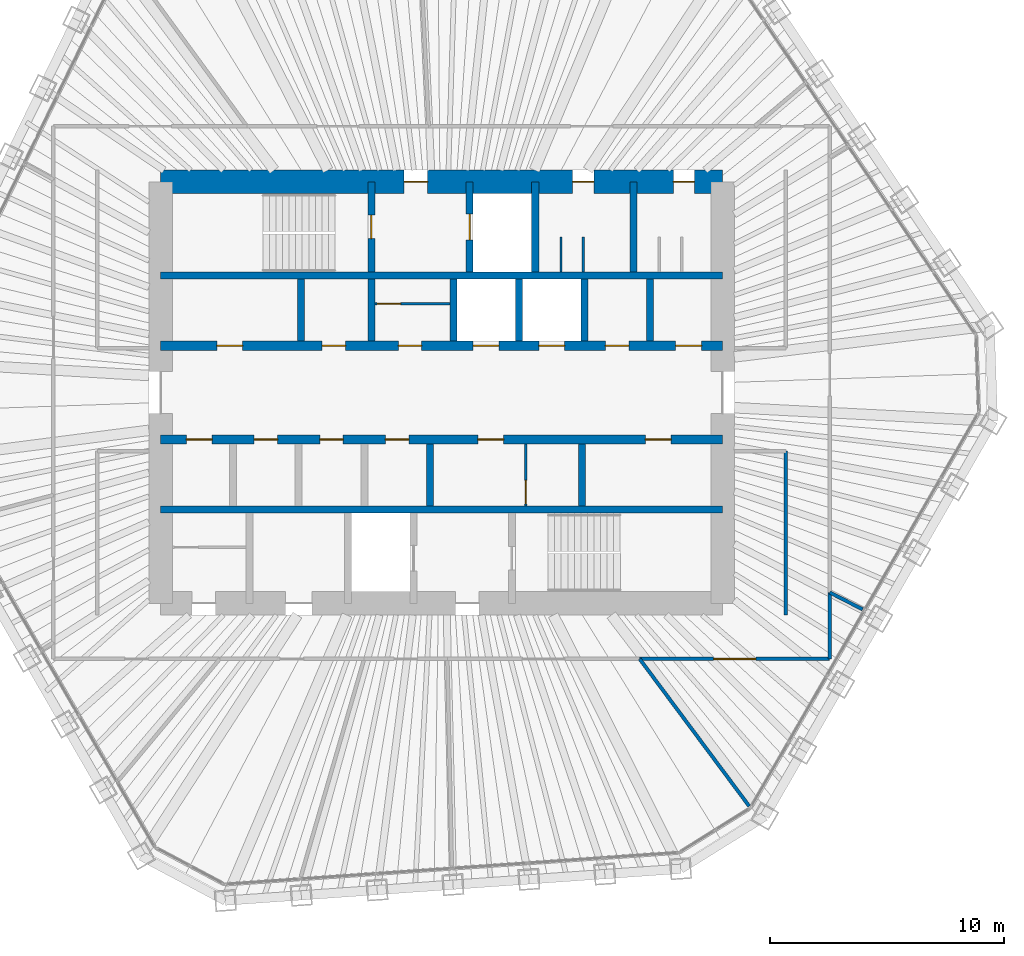
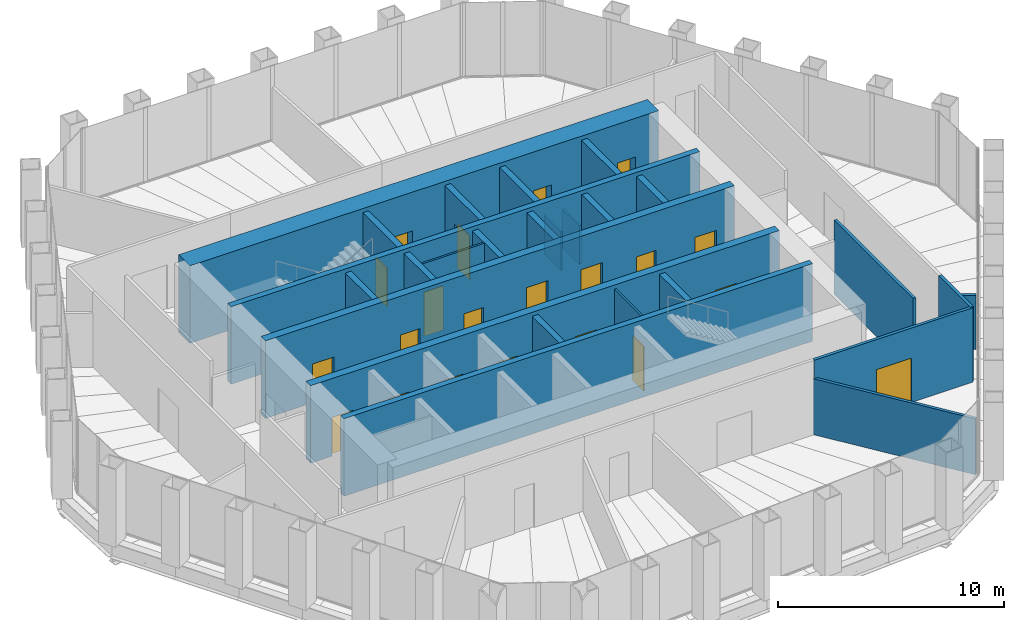
# One storey, part 12 of 14: 26 walls, 21 doors, 21 openings.
"""IFC4 building model written with IfcOpenShell, lengths in metres."""

from ifc_helpers import new_model, si_unit, direction, frame, frame_2d, origin, place, context, subcontext, project, spatial, rectangle, extrude, material, layer, layer_set, type_object, element, fill, save


model = new_model("IFC4")

# Units and contexts
model_context = context("Model", 3, precision=1e-05, world=origin(), true_north=direction((0.0, 1.0)))
body_context = subcontext(model_context, "Body", "Model", "MODEL_VIEW")
ifc_project = project(units=[si_unit("LENGTHUNIT", "METRE"), si_unit("AREAUNIT", "SQUARE_METRE"), si_unit("VOLUMEUNIT", "CUBIC_METRE"), si_unit("PLANEANGLEUNIT", "RADIAN"), si_unit("MASSUNIT", "GRAM", prefix="KILO")], contexts=[model_context])

# Site, building, storey
site_placement = place(None, origin())
site = spatial("IfcSite", under=ifc_project, at=site_placement, CompositionType="ELEMENT")
building_placement = place(site_placement, origin())
building = spatial("IfcBuilding", under=site, at=building_placement, Name="Qingtian Harvest Tower", CompositionType="ELEMENT")
storey_placement = place(building_placement, frame((0.0, 0.0, 295.60009765625)))
storey = spatial("IfcBuildingStorey", under=building, at=storey_placement, Name="L65", CompositionType="ELEMENT", Elevation=295.60009765625)

# Walls
ifc_material_1 = material(Name="Concrete fc' 70 MPa", Category="concrete")
ifc_layer_1 = layer(ifc_material_1, 0.300048828125)
ifc_layer_set_1 = layer_set([ifc_layer_1], Name="Core inner wall RC5 300")
wall_type_1 = type_object("IfcWallType", Name="Core inner wall RC5 300", PredefinedType="SHEAR", material=ifc_layer_set_1)
for number, where, z_axis, x_axis, name in (
    (1, (-12.0, 5.0, 0.0), (0.0, 0.0, 1.0), (1.0, 0.0, 0.0), "Core wall IN5 L65"),
    (2, (-12.0, -5.0, 0.0), (0.0, 0.0, 1.0), (1.0, 0.0, 0.0), "Core wall IS5 L65"),
):
    element("IfcWall", number, at=place(storey_placement, frame(where, z_axis=z_axis, x_axis=x_axis)), inside=storey, type_object=wall_type_1, Name=name, PredefinedType="SHEAR", context=body_context, shape_type="SweptSolid", body=[
        extrude(rectangle(XDim=24.0, YDim=0.300048828125, at=frame_2d((12.0, 0.0))), origin(), (0.0, 0.0, 1.0), 4.199951171875),
    ])

# Wall, openings, doors
ifc_material_2 = material(Name="Concrete fc' 70 MPa", Category="concrete")
ifc_layer_2 = layer(ifc_material_2, 0.39990234375)
ifc_layer_set_2 = layer_set([ifc_layer_2], Name="Core inner web RC6 400")
wall_type_2 = type_object("IfcWallType", Name="Core inner web RC6 400", PredefinedType="SHEAR", material=ifc_layer_set_2)
wall_1_placement = place(storey_placement, frame((-12.0, 2.0, 0.0), z_axis=(0.0, 0.0, 1.0), x_axis=(1.0, 0.0, 0.0)))
wall_1 = element("IfcWall", 3, at=wall_1_placement, inside=storey, type_object=wall_type_2, Name="Core wall IN2 L65", PredefinedType="SHEAR", context=body_context, shape_type="SweptSolid", body=[
    extrude(rectangle(XDim=24.0, YDim=0.39990234375, at=frame_2d((12.0, 0.0))), origin(), (0.0, 0.0, 1.0), 4.199951171875),
])
opening_1_placement = place(wall_1_placement, frame((2.39990234375, 0.0, 0.0)))
opening_1 = element("IfcOpeningElement", 4, at=opening_1_placement, cuts=wall_1, Name="Opening FD4", PredefinedType="OPENING", context=body_context, shape_type="SweptSolid", body=[
    extrude(rectangle(XDim=1.10009765625, YDim=2.10009765625, at=frame_2d((0.550048828125, 1.050048828125))), frame((0.0, 0.2099609375, 0.0), z_axis=(0.0, -1.0, 0.0), x_axis=(1.0, 0.0, 0.0)), (0.0, 0.0, 1.0), 0.419921875),
])
opening_2_placement = place(wall_1_placement, frame((22.0, 0.0, 0.0)))
opening_2 = element("IfcOpeningElement", 5, at=opening_2_placement, cuts=wall_1, Name="Opening FD4", PredefinedType="OPENING", context=body_context, shape_type="SweptSolid", body=[
    extrude(rectangle(XDim=1.10009765625, YDim=2.10009765625, at=frame_2d((0.550048828125, 1.050048828125))), frame((0.0, 0.2099609375, 0.0), z_axis=(0.0, -1.0, 0.0), x_axis=(1.0, 0.0, 0.0)), (0.0, 0.0, 1.0), 0.419921875),
])
opening_3_placement = place(wall_1_placement, frame((10.14990234375, 0.0, 0.0)))
opening_3 = element("IfcOpeningElement", 6, at=opening_3_placement, cuts=wall_1, Name="Opening FD1", PredefinedType="OPENING", context=body_context, shape_type="SweptSolid", body=[
    extrude(rectangle(XDim=1.0, YDim=2.10009765625, at=frame_2d((0.5, 1.050048828125))), frame((0.0, 0.2099609375, 0.0), z_axis=(0.0, -1.0, 0.0), x_axis=(1.0, 0.0, 0.0)), (0.0, 0.0, 1.0), 0.419921875),
])
opening_4_placement = place(wall_1_placement, frame((6.89990234375, 0.0, 0.0)))
opening_4 = element("IfcOpeningElement", 7, at=opening_4_placement, cuts=wall_1, Name="Opening FD1", PredefinedType="OPENING", context=body_context, shape_type="SweptSolid", body=[
    extrude(rectangle(XDim=1.0, YDim=2.10009765625, at=frame_2d((0.5, 1.050048828125))), frame((0.0, 0.2099609375, 0.0), z_axis=(0.0, -1.0, 0.0), x_axis=(1.0, 0.0, 0.0)), (0.0, 0.0, 1.0), 0.419921875),
])
opening_5_placement = place(wall_1_placement, frame((13.35009765625, 0.0, 0.0)))
opening_5 = element("IfcOpeningElement", 8, at=opening_5_placement, cuts=wall_1, Name="Opening LD1", PredefinedType="OPENING", context=body_context, shape_type="SweptSolid", body=[
    extrude(rectangle(XDim=1.10009765625, YDim=2.39990234375, at=frame_2d((0.550048828125, 1.199951171875))), frame((0.0, 0.2099609375, 0.0), z_axis=(0.0, -1.0, 0.0), x_axis=(1.0, 0.0, 0.0)), (0.0, 0.0, 1.0), 0.419921875),
])
opening_6_placement = place(wall_1_placement, frame((16.14990234375, 0.0, 0.0)))
opening_6 = element("IfcOpeningElement", 9, at=opening_6_placement, cuts=wall_1, Name="Opening LD1", PredefinedType="OPENING", context=body_context, shape_type="SweptSolid", body=[
    extrude(rectangle(XDim=1.10009765625, YDim=2.39990234375, at=frame_2d((0.550048828125, 1.199951171875))), frame((0.0, 0.2099609375, 0.0), z_axis=(0.0, -1.0, 0.0), x_axis=(1.0, 0.0, 0.0)), (0.0, 0.0, 1.0), 0.419921875),
])
opening_7_placement = place(wall_1_placement, frame((19.0, 0.0, 0.0)))
opening_7 = element("IfcOpeningElement", 10, at=opening_7_placement, cuts=wall_1, Name="Opening FD1", PredefinedType="OPENING", context=body_context, shape_type="SweptSolid", body=[
    extrude(rectangle(XDim=1.0, YDim=2.10009765625, at=frame_2d((0.5, 1.050048828125))), frame((0.0, 0.2099609375, 0.0), z_axis=(0.0, -1.0, 0.0), x_axis=(1.0, 0.0, 0.0)), (0.0, 0.0, 1.0), 0.419921875),
])
ifc_material_3 = material(Name="Steel-faced door leaf", Category="steel")
door_type_1 = type_object("IfcDoorType", Name="Fire door FD1 single 1 HR", OperationType="SINGLE_SWING_LEFT", PredefinedType="DOOR", material=ifc_material_3)
door_1_placement = place(opening_3_placement, origin())
door_1 = element("IfcDoor", 11, at=door_1_placement, inside=storey, type_object=door_type_1, Name="STA door L65", OperationType="SINGLE_SWING_RIGHT", OverallHeight=2.10009765625, OverallWidth=1.0, PredefinedType="DOOR", context=body_context, shape_type="SweptSolid", body=[
    extrude(rectangle(XDim=1.0, YDim=2.10009765625, at=frame_2d((0.5, 1.050048828125))), frame((0.0, 0.02490234375, 0.0), z_axis=(0.0, -1.0, 0.0), x_axis=(1.0, 0.0, 0.0)), (0.0, 0.0, 1.0), 0.050048828125),
])
fill(opening_3, door_1)
door_2_placement = place(opening_4_placement, origin())
door_2 = element("IfcDoor", 12, at=door_2_placement, inside=storey, type_object=door_type_1, Name="Linen store door L65", OperationType="SINGLE_SWING_LEFT", OverallHeight=2.10009765625, OverallWidth=1.0, PredefinedType="DOOR", context=body_context, shape_type="SweptSolid", body=[
    extrude(rectangle(XDim=1.0, YDim=2.10009765625, at=frame_2d((0.5, 1.050048828125))), frame((0.0, 0.02490234375, 0.0), z_axis=(0.0, -1.0, 0.0), x_axis=(1.0, 0.0, 0.0)), (0.0, 0.0, 1.0), 0.050048828125),
])
fill(opening_4, door_2)
door_3_placement = place(opening_7_placement, origin())
door_3 = element("IfcDoor", 13, at=door_3_placement, inside=storey, type_object=door_type_1, Name="Tool store door L65", OperationType="SINGLE_SWING_LEFT", OverallHeight=2.10009765625, OverallWidth=1.0, PredefinedType="DOOR", context=body_context, shape_type="SweptSolid", body=[
    extrude(rectangle(XDim=1.0, YDim=2.10009765625, at=frame_2d((0.5, 1.050048828125))), frame((0.0, 0.02490234375, 0.0), z_axis=(0.0, -1.0, 0.0), x_axis=(1.0, 0.0, 0.0)), (0.0, 0.0, 1.0), 0.050048828125),
])
fill(opening_7, door_3)
ifc_material_4 = material(Name="Steel-faced door leaf", Category="steel")
door_type_2 = type_object("IfcDoorType", Name="Fire door FD4 single 2 HR", OperationType="SINGLE_SWING_LEFT", PredefinedType="DOOR", material=ifc_material_4)
door_4_placement = place(opening_1_placement, origin())
door_4 = element("IfcDoor", 14, at=door_4_placement, inside=storey, type_object=door_type_2, Name="RA door L65", OperationType="SINGLE_SWING_RIGHT", OverallHeight=2.10009765625, OverallWidth=1.10009765625, PredefinedType="DOOR", context=body_context, shape_type="SweptSolid", body=[
    extrude(rectangle(XDim=1.10009765625, YDim=2.10009765625, at=frame_2d((0.550048828125, 1.050048828125))), frame((0.0, 0.02490234375, 0.0), z_axis=(0.0, -1.0, 0.0), x_axis=(1.0, 0.0, 0.0)), (0.0, 0.0, 1.0), 0.050048828125),
])
fill(opening_1, door_4)
door_5_placement = place(opening_2_placement, origin())
door_5 = element("IfcDoor", 15, at=door_5_placement, inside=storey, type_object=door_type_2, Name="AHU door L65", OperationType="SINGLE_SWING_LEFT", OverallHeight=2.10009765625, OverallWidth=1.10009765625, PredefinedType="DOOR", context=body_context, shape_type="SweptSolid", body=[
    extrude(rectangle(XDim=1.10009765625, YDim=2.10009765625, at=frame_2d((0.550048828125, 1.050048828125))), frame((0.0, 0.02490234375, 0.0), z_axis=(0.0, -1.0, 0.0), x_axis=(1.0, 0.0, 0.0)), (0.0, 0.0, 1.0), 0.050048828125),
])
fill(opening_2, door_5)
ifc_material_5 = material(Name="Stainless steel lift landing door", Category="steel")
door_type_3 = type_object("IfcDoorType", Name="Lift landing door LD1 1 HR", OperationType="DOUBLE_DOOR_SLIDING", PredefinedType="DOOR", material=ifc_material_5)
door_6_placement = place(opening_5_placement, origin())
door_6 = element("IfcDoor", 16, at=door_6_placement, inside=storey, type_object=door_type_3, Name="PLD1 landing door L65", OperationType="DOUBLE_DOOR_SLIDING", OverallHeight=2.39990234375, OverallWidth=1.10009765625, PredefinedType="DOOR", context=body_context, shape_type="SweptSolid", body=[
    extrude(rectangle(XDim=1.10009765625, YDim=2.39990234375, at=frame_2d((0.550048828125, 1.199951171875))), frame((0.0, 0.02490234375, 0.0), z_axis=(0.0, -1.0, 0.0), x_axis=(1.0, 0.0, 0.0)), (0.0, 0.0, 1.0), 0.050048828125),
])
fill(opening_5, door_6)
door_7_placement = place(opening_6_placement, origin())
door_7 = element("IfcDoor", 17, at=door_7_placement, inside=storey, type_object=door_type_3, Name="PLD2 landing door L65", OperationType="DOUBLE_DOOR_SLIDING", OverallHeight=2.39990234375, OverallWidth=1.10009765625, PredefinedType="DOOR", context=body_context, shape_type="SweptSolid", body=[
    extrude(rectangle(XDim=1.10009765625, YDim=2.39990234375, at=frame_2d((0.550048828125, 1.199951171875))), frame((0.0, 0.02490234375, 0.0), z_axis=(0.0, -1.0, 0.0), x_axis=(1.0, 0.0, 0.0)), (0.0, 0.0, 1.0), 0.050048828125),
])
fill(opening_6, door_7)

wall_2_placement = place(storey_placement, frame((-12.0, -2.0, 0.0), z_axis=(0.0, 0.0, 1.0), x_axis=(1.0, 0.0, 0.0)))
wall_2 = element("IfcWall", 18, at=wall_2_placement, inside=storey, type_object=wall_type_2, Name="Core wall IS2 L65", PredefinedType="SHEAR", context=body_context, shape_type="SweptSolid", body=[
    extrude(rectangle(XDim=24.0, YDim=0.39990234375, at=frame_2d((12.0, 0.0))), origin(), (0.0, 0.0, 1.0), 4.199951171875),
])
opening_8_placement = place(wall_2_placement, frame((1.10009765625, 0.0, 0.0)))
opening_8 = element("IfcOpeningElement", 19, at=opening_8_placement, cuts=wall_2, Name="Opening FD4", PredefinedType="OPENING", context=body_context, shape_type="SweptSolid", body=[
    extrude(rectangle(XDim=1.10009765625, YDim=2.10009765625, at=frame_2d((0.550048828125, 1.050048828125))), frame((0.0, 0.2099609375, 0.0), z_axis=(0.0, -1.0, 0.0), x_axis=(1.0, 0.0, 0.0)), (0.0, 0.0, 1.0), 0.419921875),
])
opening_9_placement = place(wall_2_placement, frame((13.550048828125, 0.0, 0.0)))
opening_9 = element("IfcOpeningElement", 20, at=opening_9_placement, cuts=wall_2, Name="Opening FD4", PredefinedType="OPENING", context=body_context, shape_type="SweptSolid", body=[
    extrude(rectangle(XDim=1.10009765625, YDim=2.10009765625, at=frame_2d((0.550048828125, 1.050048828125))), frame((0.0, 0.2099609375, 0.0), z_axis=(0.0, -1.0, 0.0), x_axis=(1.0, 0.0, 0.0)), (0.0, 0.0, 1.0), 0.419921875),
])
opening_10_placement = place(wall_2_placement, frame((20.699951171875, 0.0, 0.0)))
opening_10 = element("IfcOpeningElement", 21, at=opening_10_placement, cuts=wall_2, Name="Opening FD4", PredefinedType="OPENING", context=body_context, shape_type="SweptSolid", body=[
    extrude(rectangle(XDim=1.10009765625, YDim=2.10009765625, at=frame_2d((0.550048828125, 1.050048828125))), frame((0.0, 0.2099609375, 0.0), z_axis=(0.0, -1.0, 0.0), x_axis=(1.0, 0.0, 0.0)), (0.0, 0.0, 1.0), 0.419921875),
])
opening_11_placement = place(wall_2_placement, frame((4.0, 0.0, 0.0)))
opening_11 = element("IfcOpeningElement", 22, at=opening_11_placement, cuts=wall_2, Name="Opening FD1", PredefinedType="OPENING", context=body_context, shape_type="SweptSolid", body=[
    extrude(rectangle(XDim=1.0, YDim=2.10009765625, at=frame_2d((0.5, 1.050048828125))), frame((0.0, 0.2099609375, 0.0), z_axis=(0.0, -1.0, 0.0), x_axis=(1.0, 0.0, 0.0)), (0.0, 0.0, 1.0), 0.419921875),
])
opening_12_placement = place(wall_2_placement, frame((6.800048828125, 0.0, 0.0)))
opening_12 = element("IfcOpeningElement", 23, at=opening_12_placement, cuts=wall_2, Name="Opening FD1", PredefinedType="OPENING", context=body_context, shape_type="SweptSolid", body=[
    extrude(rectangle(XDim=1.0, YDim=2.10009765625, at=frame_2d((0.5, 1.050048828125))), frame((0.0, 0.2099609375, 0.0), z_axis=(0.0, -1.0, 0.0), x_axis=(1.0, 0.0, 0.0)), (0.0, 0.0, 1.0), 0.419921875),
])
opening_13_placement = place(wall_2_placement, frame((9.60009765625, 0.0, 0.0)))
opening_13 = element("IfcOpeningElement", 24, at=opening_13_placement, cuts=wall_2, Name="Opening FD1", PredefinedType="OPENING", context=body_context, shape_type="SweptSolid", body=[
    extrude(rectangle(XDim=1.0, YDim=2.10009765625, at=frame_2d((0.5, 1.050048828125))), frame((0.0, 0.2099609375, 0.0), z_axis=(0.0, -1.0, 0.0), x_axis=(1.0, 0.0, 0.0)), (0.0, 0.0, 1.0), 0.419921875),
])
door_8_placement = place(opening_11_placement, origin())
door_8 = element("IfcDoor", 25, at=door_8_placement, inside=storey, type_object=door_type_1, Name="Store door L65", OperationType="SINGLE_SWING_LEFT", OverallHeight=2.10009765625, OverallWidth=1.0, PredefinedType="DOOR", context=body_context, shape_type="SweptSolid", body=[
    extrude(rectangle(XDim=1.0, YDim=2.10009765625, at=frame_2d((0.5, 1.050048828125))), frame((0.0, 0.02490234375, 0.0), z_axis=(0.0, -1.0, 0.0), x_axis=(1.0, 0.0, 0.0)), (0.0, 0.0, 1.0), 0.050048828125),
])
fill(opening_11, door_8)
door_9_placement = place(opening_12_placement, origin())
door_9 = element("IfcDoor", 26, at=door_9_placement, inside=storey, type_object=door_type_1, Name="Linen store door L65", OperationType="SINGLE_SWING_LEFT", OverallHeight=2.10009765625, OverallWidth=1.0, PredefinedType="DOOR", context=body_context, shape_type="SweptSolid", body=[
    extrude(rectangle(XDim=1.0, YDim=2.10009765625, at=frame_2d((0.5, 1.050048828125))), frame((0.0, 0.02490234375, 0.0), z_axis=(0.0, -1.0, 0.0), x_axis=(1.0, 0.0, 0.0)), (0.0, 0.0, 1.0), 0.050048828125),
])
fill(opening_12, door_9)
door_10_placement = place(opening_13_placement, origin())
door_10 = element("IfcDoor", 27, at=door_10_placement, inside=storey, type_object=door_type_1, Name="IT room door L65", OperationType="SINGLE_SWING_LEFT", OverallHeight=2.10009765625, OverallWidth=1.0, PredefinedType="DOOR", context=body_context, shape_type="SweptSolid", body=[
    extrude(rectangle(XDim=1.0, YDim=2.10009765625, at=frame_2d((0.5, 1.050048828125))), frame((0.0, 0.02490234375, 0.0), z_axis=(0.0, -1.0, 0.0), x_axis=(1.0, 0.0, 0.0)), (0.0, 0.0, 1.0), 0.050048828125),
])
fill(opening_13, door_10)
door_11_placement = place(opening_8_placement, origin())
door_11 = element("IfcDoor", 28, at=door_11_placement, inside=storey, type_object=door_type_2, Name="RB door L65", OperationType="SINGLE_SWING_RIGHT", OverallHeight=2.10009765625, OverallWidth=1.10009765625, PredefinedType="DOOR", context=body_context, shape_type="SweptSolid", body=[
    extrude(rectangle(XDim=1.10009765625, YDim=2.10009765625, at=frame_2d((0.550048828125, 1.050048828125))), frame((0.0, 0.02490234375, 0.0), z_axis=(0.0, -1.0, 0.0), x_axis=(1.0, 0.0, 0.0)), (0.0, 0.0, 1.0), 0.050048828125),
])
fill(opening_8, door_11)
door_12_placement = place(opening_9_placement, origin())
door_12 = element("IfcDoor", 29, at=door_12_placement, inside=storey, type_object=door_type_2, Name="ELEC door L65", OperationType="SINGLE_SWING_LEFT", OverallHeight=2.10009765625, OverallWidth=1.10009765625, PredefinedType="DOOR", context=body_context, shape_type="SweptSolid", body=[
    extrude(rectangle(XDim=1.10009765625, YDim=2.10009765625, at=frame_2d((0.550048828125, 1.050048828125))), frame((0.0, 0.02490234375, 0.0), z_axis=(0.0, -1.0, 0.0), x_axis=(1.0, 0.0, 0.0)), (0.0, 0.0, 1.0), 0.050048828125),
])
fill(opening_9, door_12)
door_13_placement = place(opening_10_placement, origin())
door_13 = element("IfcDoor", 30, at=door_13_placement, inside=storey, type_object=door_type_2, Name="DUCT door L65", OperationType="SINGLE_SWING_RIGHT", OverallHeight=2.10009765625, OverallWidth=1.10009765625, PredefinedType="DOOR", context=body_context, shape_type="SweptSolid", body=[
    extrude(rectangle(XDim=1.10009765625, YDim=2.10009765625, at=frame_2d((0.550048828125, 1.050048828125))), frame((0.0, 0.02490234375, 0.0), z_axis=(0.0, -1.0, 0.0), x_axis=(1.0, 0.0, 0.0)), (0.0, 0.0, 1.0), 0.050048828125),
])
fill(opening_10, door_13)

# Wall, opening, door
ifc_material_6 = material(Name="Precast concrete shaft panel", Category="concrete")
ifc_layer_3 = layer(ifc_material_6, 0.300048828125)
ifc_layer_set_3 = layer_set([ifc_layer_3], Name="Core shaft partition SW1 300")
wall_type_3 = type_object("IfcWallType", Name="Core shaft partition SW1 300", PredefinedType="PARTITIONING", material=ifc_layer_set_3)
wall_3_placement = place(storey_placement, frame((-3.0, 5.14990234375, 0.0), z_axis=(0.0, 0.0, 1.0), x_axis=(0.0, 1.0, 0.0)))
wall_3 = element("IfcWall", 31, at=wall_3_placement, inside=storey, type_object=wall_type_3, Name="Core shaft partition XN1 L65", PredefinedType="PARTITIONING", context=body_context, shape_type="SweptSolid", body=[
    extrude(rectangle(XDim=3.85009765625, YDim=0.300048828125, at=frame_2d((1.925048828125, 0.0))), origin(), (0.0, 0.0, 1.0), 3.97998046875),
])
opening_14_placement = place(wall_3_placement, frame((1.425048828125, 0.0, 0.0)))
opening_14 = element("IfcOpeningElement", 32, at=opening_14_placement, cuts=wall_3, Name="Opening FD1", PredefinedType="OPENING", context=body_context, shape_type="SweptSolid", body=[
    extrude(rectangle(XDim=1.0, YDim=2.10009765625, at=frame_2d((0.5, 1.050048828125))), frame((0.0, 0.159912109375, 0.0), z_axis=(0.0, -1.0, 0.0), x_axis=(1.0, 0.0, 0.0)), (0.0, 0.0, 1.0), 0.320068359375),
])
door_14_placement = place(opening_14_placement, origin())
door_14 = element("IfcDoor", 33, at=door_14_placement, inside=storey, type_object=door_type_1, Name="S1 door L65", OperationType="SINGLE_SWING_LEFT", OverallHeight=2.10009765625, OverallWidth=1.0, PredefinedType="DOOR", context=body_context, shape_type="SweptSolid", body=[
    extrude(rectangle(XDim=1.0, YDim=2.10009765625, at=frame_2d((0.5, 1.050048828125))), frame((0.0, 0.02490234375, 0.0), z_axis=(0.0, -1.0, 0.0), x_axis=(1.0, 0.0, 0.0)), (0.0, 0.0, 1.0), 0.050048828125),
])
fill(opening_14, door_14)

wall_4_placement = place(storey_placement, frame((1.199951171875, 5.14990234375, 0.0), z_axis=(0.0, 0.0, 1.0), x_axis=(0.0, 1.0, 0.0)))
wall_4 = element("IfcWall", 34, at=wall_4_placement, inside=storey, type_object=wall_type_3, Name="Core shaft partition XN2 L65", PredefinedType="PARTITIONING", context=body_context, shape_type="SweptSolid", body=[
    extrude(rectangle(XDim=3.85009765625, YDim=0.300048828125, at=frame_2d((1.925048828125, 0.0))), origin(), (0.0, 0.0, 1.0), 3.97998046875),
])
opening_15_placement = place(wall_4_placement, frame((1.375, 0.0, 0.0)))
opening_15 = element("IfcOpeningElement", 35, at=opening_15_placement, cuts=wall_4, Name="Opening LD1", PredefinedType="OPENING", context=body_context, shape_type="SweptSolid", body=[
    extrude(rectangle(XDim=1.10009765625, YDim=2.39990234375, at=frame_2d((0.550048828125, 1.199951171875))), frame((0.0, 0.159912109375, 0.0), z_axis=(0.0, -1.0, 0.0), x_axis=(1.0, 0.0, 0.0)), (0.0, 0.0, 1.0), 0.320068359375),
])
door_15_placement = place(opening_15_placement, origin())
door_15 = element("IfcDoor", 36, at=door_15_placement, inside=storey, type_object=door_type_3, Name="FL1 landing door L65", OperationType="DOUBLE_DOOR_SLIDING", OverallHeight=2.39990234375, OverallWidth=1.10009765625, PredefinedType="DOOR", context=body_context, shape_type="SweptSolid", body=[
    extrude(rectangle(XDim=1.10009765625, YDim=2.39990234375, at=frame_2d((0.550048828125, 1.199951171875))), frame((0.0, 0.02490234375, 0.0), z_axis=(0.0, -1.0, 0.0), x_axis=(1.0, 0.0, 0.0)), (0.0, 0.0, 1.0), 0.050048828125),
])
fill(opening_15, door_15)

# Walls
for number, where, z_axis, x_axis, name in (
    (37, (4.0, 5.14990234375, 0.0), (0.0, 0.0, 1.0), (0.0, 1.0, 0.0), "Core shaft partition XN3 L65"),
    (38, (8.199951171875, 5.14990234375, 0.0), (0.0, 0.0, 1.0), (0.0, 1.0, 0.0), "Core shaft partition XN4 L65"),
):
    element("IfcWall", number, at=place(storey_placement, frame(where, z_axis=z_axis, x_axis=x_axis)), inside=storey, type_object=wall_type_3, Name=name, PredefinedType="PARTITIONING", context=body_context, shape_type="SweptSolid", body=[
        extrude(rectangle(XDim=3.85009765625, YDim=0.300048828125, at=frame_2d((1.925048828125, 0.0))), origin(), (0.0, 0.0, 1.0), 3.97998046875),
    ])
for number, where, z_axis, x_axis, name in (
    (39, (-6.0, 2.199951171875, 0.0), (0.0, 0.0, 1.0), (0.0, 1.0, 0.0), "Core shaft partition XA1 L65"),
    (40, (-3.0, 2.199951171875, 0.0), (0.0, 0.0, 1.0), (0.0, 1.0, 0.0), "Core shaft partition XA2 L65"),
    (41, (0.5, 2.199951171875, 0.0), (0.0, 0.0, 1.0), (0.0, 1.0, 0.0), "Core shaft partition XA3 L65"),
    (42, (3.300048828125, 2.199951171875, 0.0), (0.0, 0.0, 1.0), (0.0, 1.0, 0.0), "Core shaft partition XA4 L65"),
    (43, (6.10009765625, 2.199951171875, 0.0), (0.0, 0.0, 1.0), (0.0, 1.0, 0.0), "Core shaft partition XA5 L65"),
    (44, (8.89990234375, 2.199951171875, 0.0), (0.0, 0.0, 1.0), (0.0, 1.0, 0.0), "Core shaft partition XA6 L65"),
    (45, (-0.5, -4.85009765625, 0.0), (0.0, 0.0, 1.0), (0.0, 1.0, 0.0), "Core shaft partition XB4 L65"),
    (46, (6.0, -4.85009765625, 0.0), (0.0, 0.0, 1.0), (0.0, 1.0, 0.0), "Core shaft partition XB5 L65"),
):
    element("IfcWall", number, at=place(storey_placement, frame(where, z_axis=z_axis, x_axis=x_axis)), inside=storey, type_object=wall_type_3, Name=name, PredefinedType="PARTITIONING", context=body_context, shape_type="SweptSolid", body=[
        extrude(rectangle(XDim=2.650146484375, YDim=0.300048828125, at=frame_2d((1.3251953125, 0.0))), origin(), (0.0, 0.0, 1.0), 3.97998046875),
    ])

# Wall, openings, doors
ifc_material_7 = material(Name="Concrete fc' 70 MPa", Category="concrete")
ifc_layer_4 = layer(ifc_material_7, 1.0)
ifc_layer_set_4 = layer_set([ifc_layer_4], Name="Core wall RC3 1000")
wall_type_4 = type_object("IfcWallType", Name="Core wall RC3 1000", PredefinedType="SHEAR", material=ifc_layer_set_4)
wall_5_placement = place(storey_placement, frame((-12.0, 9.0, 0.0), z_axis=(0.0, 0.0, 1.0), x_axis=(1.0, 0.0, 0.0)))
wall_5 = element("IfcWall", 47, at=wall_5_placement, inside=storey, type_object=wall_type_4, Name="Core wall CN L65", PredefinedType="SHEAR", context=body_context, shape_type="SweptSolid", body=[
    extrude(rectangle(XDim=24.0, YDim=1.0, at=frame_2d((12.0, 0.0))), origin(), (0.0, 0.0, 1.0), 4.199951171875),
])
opening_16_placement = place(wall_5_placement, frame((10.39990234375, 0.0, 0.0)))
opening_16 = element("IfcOpeningElement", 48, at=opening_16_placement, cuts=wall_5, Name="Opening FD1", PredefinedType="OPENING", context=body_context, shape_type="SweptSolid", body=[
    extrude(rectangle(XDim=1.0, YDim=2.10009765625, at=frame_2d((0.5, 1.050048828125))), frame((0.0, 0.510009765625, 0.0), z_axis=(0.0, -1.0, 0.0), x_axis=(1.0, 0.0, 0.0)), (0.0, 0.0, 1.0), 1.02001953125),
])
opening_17_placement = place(wall_5_placement, frame((17.60009765625, 0.0, 0.0)))
opening_17 = element("IfcOpeningElement", 49, at=opening_17_placement, cuts=wall_5, Name="Opening D1", PredefinedType="OPENING", context=body_context, shape_type="SweptSolid", body=[
    extrude(rectangle(XDim=0.89990234375, YDim=2.10009765625, at=frame_2d((0.449951171875, 1.050048828125))), frame((0.0, 0.510009765625, 0.0), z_axis=(0.0, -1.0, 0.0), x_axis=(1.0, 0.0, 0.0)), (0.0, 0.0, 1.0), 1.02001953125),
])
opening_18_placement = place(wall_5_placement, frame((21.89990234375, 0.0, 0.0)))
opening_18 = element("IfcOpeningElement", 50, at=opening_18_placement, cuts=wall_5, Name="Opening D1", PredefinedType="OPENING", context=body_context, shape_type="SweptSolid", body=[
    extrude(rectangle(XDim=0.89990234375, YDim=2.10009765625, at=frame_2d((0.449951171875, 1.050048828125))), frame((0.0, 0.510009765625, 0.0), z_axis=(0.0, -1.0, 0.0), x_axis=(1.0, 0.0, 0.0)), (0.0, 0.0, 1.0), 1.02001953125),
])
door_16_placement = place(opening_16_placement, origin())
door_16 = element("IfcDoor", 51, at=door_16_placement, inside=storey, type_object=door_type_1, Name="V1 door L65", OperationType="SINGLE_SWING_RIGHT", OverallHeight=2.10009765625, OverallWidth=1.0, PredefinedType="DOOR", context=body_context, shape_type="SweptSolid", body=[
    extrude(rectangle(XDim=1.0, YDim=2.10009765625, at=frame_2d((0.5, 1.050048828125))), frame((0.0, 0.02490234375, 0.0), z_axis=(0.0, -1.0, 0.0), x_axis=(1.0, 0.0, 0.0)), (0.0, 0.0, 1.0), 0.050048828125),
])
fill(opening_16, door_16)
ifc_material_8 = material(Name="Laminated timber door leaf", Category="wood")
door_type_4 = type_object("IfcDoorType", Name="Toilet door D1 single", OperationType="SINGLE_SWING_LEFT", PredefinedType="DOOR", material=ifc_material_8)
door_17_placement = place(opening_17_placement, origin())
door_17 = element("IfcDoor", 52, at=door_17_placement, inside=storey, type_object=door_type_4, Name="WCM door L65", OperationType="SINGLE_SWING_RIGHT", OverallHeight=2.10009765625, OverallWidth=0.89990234375, PredefinedType="DOOR", context=body_context, shape_type="SweptSolid", body=[
    extrude(rectangle(XDim=0.89990234375, YDim=2.10009765625, at=frame_2d((0.449951171875, 1.050048828125))), frame((0.0, 0.02490234375, 0.0), z_axis=(0.0, -1.0, 0.0), x_axis=(1.0, 0.0, 0.0)), (0.0, 0.0, 1.0), 0.050048828125),
])
fill(opening_17, door_17)
door_18_placement = place(opening_18_placement, origin())
door_18 = element("IfcDoor", 53, at=door_18_placement, inside=storey, type_object=door_type_4, Name="WCF door L65", OperationType="SINGLE_SWING_RIGHT", OverallHeight=2.10009765625, OverallWidth=0.89990234375, PredefinedType="DOOR", context=body_context, shape_type="SweptSolid", body=[
    extrude(rectangle(XDim=0.89990234375, YDim=2.10009765625, at=frame_2d((0.449951171875, 1.050048828125))), frame((0.0, 0.02490234375, 0.0), z_axis=(0.0, -1.0, 0.0), x_axis=(1.0, 0.0, 0.0)), (0.0, 0.0, 1.0), 0.050048828125),
])
fill(opening_18, door_18)

# Walls
ifc_material_9 = material(Name="Gypsum board on steel studs", Category="steel")
ifc_layer_5 = layer(ifc_material_9, 0.14990234375)
ifc_layer_set_5 = layer_set([ifc_layer_5], Name="Partition PT1 150")
wall_type_5 = type_object("IfcWallType", Name="Partition PT1 150", PredefinedType="PARTITIONING", material=ifc_layer_set_5)
wall_6_placement = place(storey_placement, frame((17.98046875, -9.257080078125, 0.0), z_axis=(0.0, 0.0, 1.0), x_axis=(-0.88908312915, 0.457745769463, 0.0)))
element("IfcWall", 54, at=wall_6_placement, inside=storey, type_object=wall_type_5, Name="Meeting room wall L65", PredefinedType="PARTITIONING", context=body_context, shape_type="SweptSolid", body=[
    extrude(rectangle(XDim=1.580810546875, YDim=0.14990234375, at=frame_2d((0.79052734375, 0.0))), origin(), (0.0, 0.0, 1.0), 2.929931640625),
])
wall_7_placement = place(storey_placement, frame((16.574951171875, -8.533447265625, 0.0), z_axis=(0.0, 0.0, 1.0), x_axis=(0.0, -1.0, 0.0)))
element("IfcWall", 55, at=wall_7_placement, inside=storey, type_object=wall_type_5, Name="Meeting room wall L65", PredefinedType="PARTITIONING", context=body_context, shape_type="SweptSolid", body=[
    extrude(rectangle(XDim=2.841552734375, YDim=0.14990234375, at=frame_2d((1.4208984375, 0.0))), origin(), (0.0, 0.0, 1.0), 4.02978515625),
])

# Wall, opening, door
wall_8_placement = place(storey_placement, frame((16.574951171875, -11.375, 0.0), z_axis=(0.0, 0.0, 1.0), x_axis=(-1.0, 0.0, 0.0)))
wall_8 = element("IfcWall", 56, at=wall_8_placement, inside=storey, type_object=wall_type_5, Name="Meeting room wall L65", PredefinedType="PARTITIONING", context=body_context, shape_type="SweptSolid", body=[
    extrude(rectangle(XDim=8.113525390625, YDim=0.14990234375, at=frame_2d((4.056640625, 0.0))), origin(), (0.0, 0.0, 1.0), 4.02978515625),
])
opening_19_placement = place(wall_8_placement, frame((3.15673828125, 0.0, 0.0)))
opening_19 = element("IfcOpeningElement", 57, at=opening_19_placement, cuts=wall_8, Name="Opening D3", PredefinedType="OPENING", context=body_context, shape_type="SweptSolid", body=[
    extrude(rectangle(XDim=1.800048828125, YDim=2.39990234375, at=frame_2d((0.89990234375, 1.199951171875))), frame((0.0, 0.0849609375, 0.0), z_axis=(0.0, -1.0, 0.0), x_axis=(1.0, 0.0, 0.0)), (0.0, 0.0, 1.0), 0.169921875),
])
ifc_material_10 = material(Name="Laminated timber door leaf", Category="wood")
door_type_5 = type_object("IfcDoorType", Name="Room door D3 double", OperationType="DOUBLE_DOOR_DOUBLE_SWING", PredefinedType="DOOR", material=ifc_material_10)
door_19_placement = place(opening_19_placement, origin())
door_19 = element("IfcDoor", 58, at=door_19_placement, inside=storey, type_object=door_type_5, Name="Meeting room door L65", OperationType="DOUBLE_DOOR_DOUBLE_SWING", OverallHeight=2.39990234375, OverallWidth=1.800048828125, PredefinedType="DOOR", context=body_context, shape_type="SweptSolid", body=[
    extrude(rectangle(XDim=1.800048828125, YDim=2.39990234375, at=frame_2d((0.89990234375, 1.199951171875))), frame((0.0, 0.02490234375, 0.0), z_axis=(0.0, -1.0, 0.0), x_axis=(1.0, 0.0, 0.0)), (0.0, 0.0, 1.0), 0.050048828125),
])
fill(opening_19, door_19)

# Walls
wall_9_placement = place(storey_placement, frame((13.1376953125, -17.661376953125, 0.0), z_axis=(0.0, 0.0, 1.0), x_axis=(-0.596849390438, 0.802353291969, 0.0)))
element("IfcWall", 59, at=wall_9_placement, inside=storey, type_object=wall_type_5, Name="Workplace zone wall L65", PredefinedType="PARTITIONING", context=body_context, shape_type="SweptSolid", body=[
    extrude(rectangle(XDim=7.8349609375, YDim=0.14990234375, at=frame_2d((3.91748046875, 0.0))), origin(), (0.0, 0.0, 1.0), 3.02978515625),
])
wall_10_placement = place(storey_placement, frame((14.699951171875, -9.5, 0.0), z_axis=(0.0, 0.0, 1.0), x_axis=(0.0, 1.0, 0.0)))
element("IfcWall", 60, at=wall_10_placement, inside=storey, type_object=wall_type_5, Name="Print area wall L65", PredefinedType="PARTITIONING", context=body_context, shape_type="SweptSolid", body=[
    extrude(rectangle(XDim=7.0, YDim=0.14990234375, at=frame_2d((3.5, 0.0))), origin(), (0.0, 0.0, 1.0), 4.02978515625),
])

# Wall, opening, door
ifc_material_11 = material(Name="Concrete block partition", Category="concrete")
ifc_layer_6 = layer(ifc_material_11, 0.10009765625)
ifc_layer_set_6 = layer_set([ifc_layer_6], Name="Store partition PT3 100")
wall_type_6 = type_object("IfcWallType", Name="Store partition PT3 100", PredefinedType="PARTITIONING", material=ifc_layer_set_6)
wall_11_placement = place(storey_placement, frame((-2.85009765625, 3.800048828125, 0.0), z_axis=(0.0, 0.0, 1.0), x_axis=(1.0, 0.0, 0.0)))
wall_11 = element("IfcWall", 61, at=wall_11_placement, inside=storey, type_object=wall_type_6, Name="Stationery store wall L65", PredefinedType="PARTITIONING", context=body_context, shape_type="SweptSolid", body=[
    extrude(rectangle(XDim=3.2001953125, YDim=0.10009765625, at=frame_2d((1.60009765625, 0.0))), origin(), (0.0, 0.0, 1.0), 3.97998046875),
])
opening_20_placement = place(wall_11_placement, frame((0.10009765625, 0.0, 0.0)))
opening_20 = element("IfcOpeningElement", 62, at=opening_20_placement, cuts=wall_11, Name="Opening D2", PredefinedType="OPENING", context=body_context, shape_type="SweptSolid", body=[
    extrude(rectangle(XDim=1.0, YDim=2.39990234375, at=frame_2d((0.5, 1.199951171875))), frame((0.0, 0.06005859375, 0.0), z_axis=(0.0, -1.0, 0.0), x_axis=(1.0, 0.0, 0.0)), (0.0, 0.0, 1.0), 0.1201171875),
])
ifc_material_12 = material(Name="Laminated timber door leaf", Category="wood")
door_type_6 = type_object("IfcDoorType", Name="Room door D2 single", OperationType="SINGLE_SWING_LEFT", PredefinedType="DOOR", material=ifc_material_12)
door_20_placement = place(opening_20_placement, origin())
door_20 = element("IfcDoor", 63, at=door_20_placement, inside=storey, type_object=door_type_6, Name="Stationery store door L65", OperationType="SINGLE_SWING_LEFT", OverallHeight=2.39990234375, OverallWidth=1.0, PredefinedType="DOOR", context=body_context, shape_type="SweptSolid", body=[
    extrude(rectangle(XDim=1.0, YDim=2.39990234375, at=frame_2d((0.5, 1.199951171875))), frame((0.0, 0.02490234375, 0.0), z_axis=(0.0, -1.0, 0.0), x_axis=(1.0, 0.0, 0.0)), (0.0, 0.0, 1.0), 0.050048828125),
])
fill(opening_20, door_20)

wall_12_placement = place(storey_placement, frame((3.60009765625, -4.85009765625, 0.0), z_axis=(0.0, 0.0, 1.0), x_axis=(0.0, 1.0, 0.0)))
wall_12 = element("IfcWall", 64, at=wall_12_placement, inside=storey, type_object=wall_type_6, Name="Comms room wall L65", PredefinedType="PARTITIONING", context=body_context, shape_type="SweptSolid", body=[
    extrude(rectangle(XDim=2.650146484375, YDim=0.10009765625, at=frame_2d((1.3251953125, 0.0))), origin(), (0.0, 0.0, 1.0), 3.97998046875),
])
opening_21_placement = place(wall_12_placement, frame((0.10009765625, 0.0, 0.0)))
opening_21 = element("IfcOpeningElement", 65, at=opening_21_placement, cuts=wall_12, Name="Opening D2", PredefinedType="OPENING", context=body_context, shape_type="SweptSolid", body=[
    extrude(rectangle(XDim=1.0, YDim=2.39990234375, at=frame_2d((0.5, 1.199951171875))), frame((0.0, 0.06005859375, 0.0), z_axis=(0.0, -1.0, 0.0), x_axis=(1.0, 0.0, 0.0)), (0.0, 0.0, 1.0), 0.1201171875),
])
door_21_placement = place(opening_21_placement, origin())
door_21 = element("IfcDoor", 66, at=door_21_placement, inside=storey, type_object=door_type_6, Name="Comms room door L65", OperationType="SINGLE_SWING_RIGHT", OverallHeight=2.39990234375, OverallWidth=1.0, PredefinedType="DOOR", context=body_context, shape_type="SweptSolid", body=[
    extrude(rectangle(XDim=1.0, YDim=2.39990234375, at=frame_2d((0.5, 1.199951171875))), frame((0.0, 0.02490234375, 0.0), z_axis=(0.0, -1.0, 0.0), x_axis=(1.0, 0.0, 0.0)), (0.0, 0.0, 1.0), 0.050048828125),
])
fill(opening_21, door_21)

# Walls
ifc_material_13 = material(Name="Compact laminate cubicle partition", Category="plastic")
ifc_layer_7 = layer(ifc_material_13, 0.10009765625)
ifc_layer_set_7 = layer_set([ifc_layer_7], Name="WC cubicle partition WP1 100")
wall_type_7 = type_object("IfcWallType", Name="WC cubicle partition WP1 100", PredefinedType="PARTITIONING", material=ifc_layer_set_7)
for number, where, z_axis, x_axis, name in (
    (67, (5.10009765625, 5.14990234375, 0.0), (0.0, 0.0, 1.0), (0.0, 1.0, 0.0), "WC cubicle partition WCM L65"),
    (68, (6.050048828125, 5.14990234375, 0.0), (0.0, 0.0, 1.0), (0.0, 1.0, 0.0), "WC cubicle partition WCM L65"),
):
    element("IfcWall", number, at=place(storey_placement, frame(where, z_axis=z_axis, x_axis=x_axis)), inside=storey, type_object=wall_type_7, Name=name, PredefinedType="PARTITIONING", context=body_context, shape_type="SweptSolid", body=[
        extrude(rectangle(XDim=1.5, YDim=0.10009765625, at=frame_2d((0.75, 0.0))), origin(), (0.0, 0.0, 1.0), 2.099853515625),
    ])

save(model, "model.ifc")
